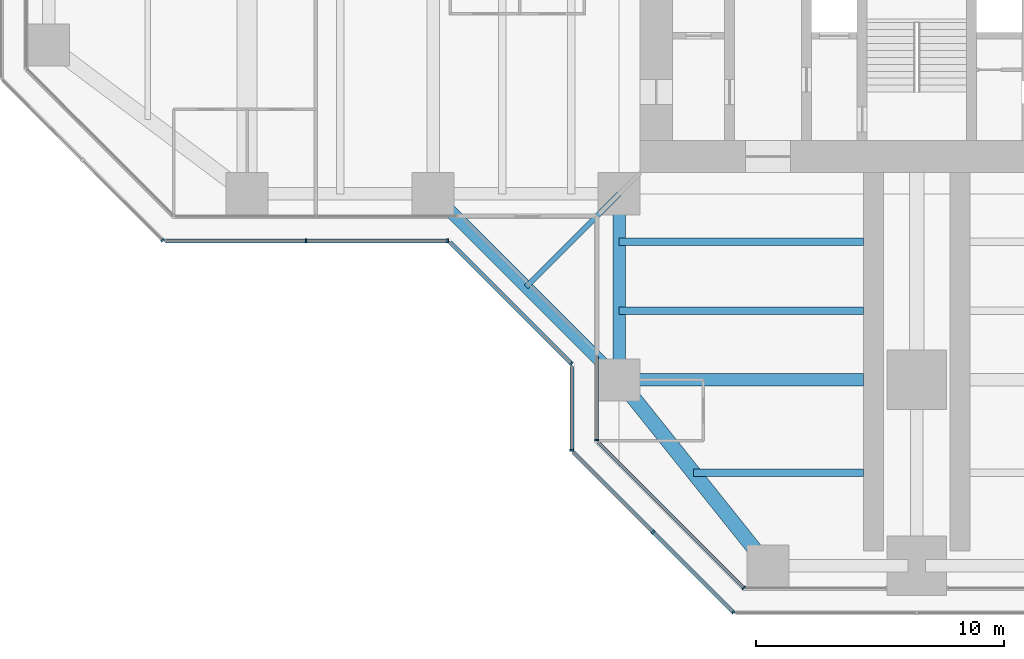
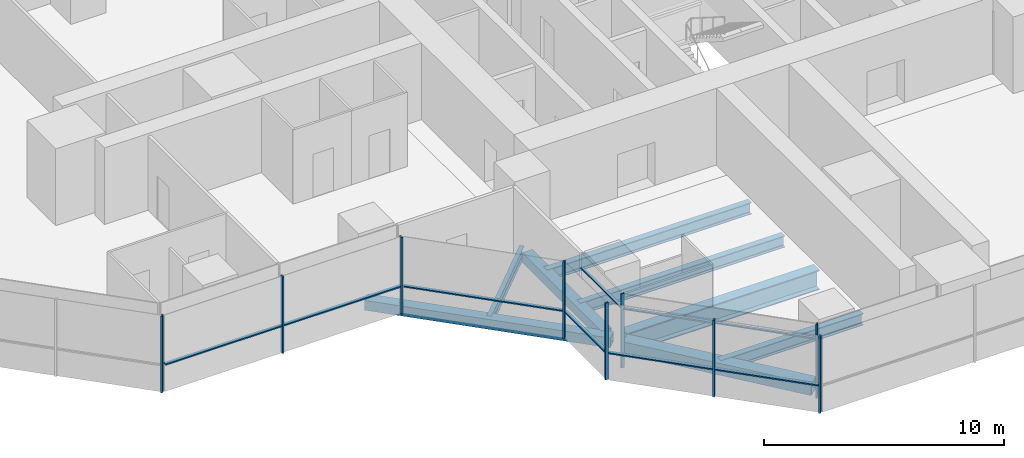
# One storey, part 2 of 20: 17 members, 8 beams, 7 elements without a shape of their own.
"""IFC4 building model written with IfcOpenShell, lengths in metres."""

from ifc_helpers import new_model, si_unit, direction, frame, origin, origin_2d, place, context, subcontext, project, spatial, rectangle, hollow_rectangle, i_section, extrude, material, material_profile, profile_set, type_object, element, aggregate, save


model = new_model("IFC4")

# Units and contexts
model_context = context("Model", 3, precision=1e-05, world=origin(), true_north=direction((0.0, 1.0)))
body_context = subcontext(model_context, "Body", "Model", "MODEL_VIEW")
ifc_project = project(units=[si_unit("LENGTHUNIT", "METRE"), si_unit("AREAUNIT", "SQUARE_METRE"), si_unit("VOLUMEUNIT", "CUBIC_METRE"), si_unit("PLANEANGLEUNIT", "RADIAN"), si_unit("MASSUNIT", "GRAM", prefix="KILO")], contexts=[model_context])

# Site, building, storey
site_placement = place(None, origin())
site = spatial("IfcSite", under=ifc_project, at=site_placement, CompositionType="ELEMENT")
building_placement = place(site_placement, origin())
building = spatial("IfcBuilding", under=site, at=building_placement, Name="Mizan Broadcast Tower", CompositionType="ELEMENT")
storey_placement = place(building_placement, frame((0.0, 0.0, 135.89990234375)))
storey = spatial("IfcBuildingStorey", under=building, at=storey_placement, Name="L30", CompositionType="ELEMENT", Elevation=135.89990234375)

# Beams
ifc_material_1 = material(Name="Steel S355", Category="steel")
ifc_material_profile_1 = material_profile(ifc_material_1, hollow_rectangle(XDim=0.5, YDim=0.5, WallThickness=0.030029296875, at=origin_2d()), Name="BOX 500x500x30")
ifc_profile_set_1 = profile_set([ifc_material_profile_1], Name="Steel S355")
beam_type_1 = type_object("IfcBeamType", Name="EDGE BEAM BOX 500x500x30", PredefinedType="SPANDREL", material=ifc_profile_set_1)
beam_1_placement = place(storey_placement, frame((-12.0, -12.449951171875, -0.3798828125), z_axis=(0.0, -1.0, 0.0), x_axis=(1.0, 0.0, 0.0)))
element("IfcBeam", 1, at=beam_1_placement, inside=storey, type_object=beam_type_1, Name="Edge beam BOX 500x500x30 L30 south arm", PredefinedType="SPANDREL", context=body_context, shape_type="SweptSolid", body=[
    extrude(hollow_rectangle(XDim=0.5, YDim=0.5, WallThickness=0.030029296875, at=origin_2d()), origin(), (0.0, 0.0, 1.0), 6.60009765625),
])
beam_2_placement = place(storey_placement, frame((-19.5, -12.0, -0.3798828125), z_axis=(0.707106781187, -0.707106781187, 0.0), x_axis=(0.707106781187, 0.707106781187, 0.0)))
element("IfcBeam", 2, at=beam_2_placement, inside=storey, type_object=beam_type_1, Name="Winter garden edge beam L30 W", PredefinedType="SPANDREL", context=body_context, shape_type="SweptSolid", body=[
    extrude(hollow_rectangle(XDim=0.5, YDim=0.5, WallThickness=0.030029296875, at=origin_2d()), origin(), (0.0, 0.0, 1.0), 10.606689453125),
])
ifc_material_2 = material(Name="Steel S355", Category="steel")
ifc_material_profile_2 = material_profile(ifc_material_2, hollow_rectangle(XDim=0.60009765625, YDim=0.60009765625, WallThickness=0.030029296875, at=origin_2d()), Name="BOX 600x600x30")
ifc_profile_set_2 = profile_set([ifc_material_profile_2], Name="Steel S355")
beam_type_2 = type_object("IfcBeamType", Name="EDGE BEAM BOX 600x600x30", PredefinedType="SPANDREL", material=ifc_profile_set_2)
beam_3_placement = place(storey_placement, frame((-11.639892578125, -19.949951171875, -0.429931640625), z_axis=(0.624673911726, -0.780885717636, 0.0), x_axis=(0.780885717636, 0.624673911726, 0.0)))
element("IfcBeam", 3, at=beam_3_placement, inside=storey, type_object=beam_type_2, Name="Edge beam BOX 600x600x30 L30 south arm", PredefinedType="SPANDREL", context=body_context, shape_type="SweptSolid", body=[
    extrude(hollow_rectangle(XDim=0.60009765625, YDim=0.60009765625, WallThickness=0.030029296875, at=origin_2d()), origin(), (0.0, 0.0, 1.0), 8.4521484375),
])
ifc_material_3 = material(Name="Steel S460", Category="steel")
ifc_material_profile_3 = material_profile(ifc_material_3, i_section(OverallWidth=0.5, OverallDepth=1.0, WebThickness=0.02490234375, FlangeThickness=0.050048828125, at=origin_2d()), Name="WPG 1000x500")
ifc_profile_set_3 = profile_set([ifc_material_profile_3], Name="Steel S460")
beam_type_3 = type_object("IfcBeamType", Name="GIRDER WPG 1000x500", PredefinedType="BEAM", material=ifc_profile_set_3)
beam_4_placement = place(storey_placement, frame((-11.408935546875, -19.5, -0.6298828125), z_axis=(1.0, 0.0, 0.0), x_axis=(0.0, 1.0, 0.0)))
element("IfcBeam", 4, at=beam_4_placement, inside=storey, type_object=beam_type_3, Name="Girder WPG 1000x500 L30 south arm", PredefinedType="BEAM", context=body_context, shape_type="SweptSolid", body=[
    extrude(i_section(OverallWidth=0.5, OverallDepth=1.0, WebThickness=0.02490234375, FlangeThickness=0.050048828125, at=origin_2d()), origin(), (0.0, 0.0, 1.0), 9.259033203125),
])

# Curtain wall, member
ifc_material_4 = material(Name="Aluminium framed glazing", Category="aluminium")
curtain_wall_type_1 = type_object("IfcCurtainWallType", Name="INNER SKIN MID ZONE", PredefinedType="USERDEFINED", material=ifc_material_4)
curtain_wall_1_placement = place(storey_placement, origin())
curtain_wall_1 = element("IfcCurtainWall", 5, at=curtain_wall_1_placement, inside=storey, type_object=curtain_wall_type_1, Name="Inner skin mid zone L30 S side", ObjectType="INNER SKIN MID ZONE", PredefinedType="USERDEFINED")
ifc_material_5 = material(Name="Aluminium, pale anodised", Category="aluminium")
ifc_material_profile_4 = material_profile(ifc_material_5, rectangle(XDim=0.159912109375, YDim=0.06005859375, at=origin_2d()), Name="MULLION 160x60")
ifc_profile_set_4 = profile_set([ifc_material_profile_4], Name="Aluminium, pale anodised")
member_type_1 = type_object("IfcMemberType", Name="INNER SKIN MULLION 60x160", PredefinedType="MULLION", material=ifc_profile_set_4)
member_1_placement = place(storey_placement, frame((-12.89990234375, -21.928466796875, 0.0), z_axis=(0.0, 0.0, 1.0), x_axis=(1.0, 0.0, 0.0)))
member_1 = element("IfcMember", 6, at=member_1_placement, type_object=member_type_1, Name="Inner skin mid zone L30 S side mullion 2", PredefinedType="MULLION", context=body_context, shape_type="SweptSolid", body=[
    extrude(rectangle(XDim=0.159912109375, YDim=0.06005859375, at=origin_2d()), origin(), (0.0, 0.0, 1.0), 3.77001953125),
])

curtain_wall_2_placement = place(storey_placement, origin())
curtain_wall_2 = element("IfcCurtainWall", 7, at=curtain_wall_2_placement, inside=storey, type_object=curtain_wall_type_1, Name="Inner skin mid zone L30 S chamfer", ObjectType="INNER SKIN MID ZONE", PredefinedType="USERDEFINED")
member_2_placement = place(storey_placement, frame((-6.979736328125, -27.87890625, 0.0), z_axis=(0.0, 0.0, 1.0), x_axis=(0.707106781187, 0.707106781187, 0.0)))
member_2 = element("IfcMember", 8, at=member_2_placement, type_object=member_type_1, Name="Inner skin mid zone L30 S chamfer mullion 2", PredefinedType="MULLION", context=body_context, shape_type="SweptSolid", body=[
    extrude(rectangle(XDim=0.159912109375, YDim=0.06005859375, at=origin_2d()), origin(), (0.0, 0.0, 1.0), 3.77001953125),
])

# Member
ifc_material_6 = material(Name="Aluminium, pale anodised", Category="aluminium")
ifc_material_profile_5 = material_profile(ifc_material_6, rectangle(XDim=0.1201171875, YDim=0.06005859375, at=origin_2d()), Name="TRANSOM 120x60")
ifc_profile_set_5 = profile_set([ifc_material_profile_5], Name="Aluminium, pale anodised")
member_type_2 = type_object("IfcMemberType", Name="INNER SKIN TRANSOM 60x120", PredefinedType="USERDEFINED", material=ifc_profile_set_5)
member_3_placement = place(storey_placement, frame((-12.89990234375, -18.56005859375, 3.030029296875), z_axis=(0.0, -1.0, 0.0), x_axis=(1.0, 0.0, 0.0)))
member_3 = element("IfcMember", 9, at=member_3_placement, type_object=member_type_2, Name="Inner skin mid zone L30 S side transom 1.1", ObjectType="TRANSOM", PredefinedType="USERDEFINED", context=body_context, shape_type="SweptSolid", body=[
    extrude(rectangle(XDim=0.1201171875, YDim=0.06005859375, at=origin_2d()), origin(), (0.0, 0.0, 1.0), 3.338623046875),
])

aggregate(curtain_wall_1, [member_1, member_3])

member_4_placement = place(storey_placement, frame((-12.857666015625, -22.0009765625, 3.030029296875), z_axis=(0.707106781187, -0.707106781187, 0.0), x_axis=(0.707106781187, 0.707106781187, 0.0)))
member_4 = element("IfcMember", 10, at=member_4_placement, type_object=member_type_2, Name="Inner skin mid zone L30 S chamfer transom 1.1", ObjectType="TRANSOM", PredefinedType="USERDEFINED", context=body_context, shape_type="SweptSolid", body=[
    extrude(rectangle(XDim=0.1201171875, YDim=0.06005859375, at=origin_2d()), origin(), (0.0, 0.0, 1.0), 8.28271484375),
])

aggregate(curtain_wall_2, [member_2, member_4])

# Curtain wall, member
ifc_material_7 = material(Name="Aluminium framed glazing", Category="aluminium")
curtain_wall_type_2 = type_object("IfcCurtainWallType", Name="OUTER SKIN", PredefinedType="USERDEFINED", material=ifc_material_7)
curtain_wall_3_placement = place(storey_placement, origin())
curtain_wall_3 = element("IfcCurtainWall", 11, at=curtain_wall_3_placement, inside=storey, type_object=curtain_wall_type_2, Name="Outer skin L30 W chamfer", ObjectType="OUTER SKIN", PredefinedType="USERDEFINED")
ifc_material_8 = material(Name="Aluminium, pale anodised", Category="aluminium")
ifc_material_profile_6 = material_profile(ifc_material_8, rectangle(XDim=0.159912109375, YDim=0.080078125, at=origin_2d()), Name="MULLION 160x80")
ifc_profile_set_6 = profile_set([ifc_material_profile_6], Name="Aluminium, pale anodised")
member_type_3 = type_object("IfcMemberType", Name="OUTER SKIN MULLION 80x160", PredefinedType="MULLION", material=ifc_profile_set_6)
member_5_placement = place(storey_placement, frame((-30.401123046875, -13.871826171875, 0.0), z_axis=(0.0, 0.0, 1.0), x_axis=(0.707106781187, 0.707106781187, 0.0)))
member_5 = element("IfcMember", 12, at=member_5_placement, type_object=member_type_3, Name="Outer skin L30 W chamfer mullion 3", PredefinedType="MULLION", context=body_context, shape_type="SweptSolid", body=[
    extrude(rectangle(XDim=0.159912109375, YDim=0.080078125, at=origin_2d()), origin(), (0.0, 0.0, 1.0), 3.900146484375),
])
aggregate(curtain_wall_3, [member_5])

# Curtain wall, members
curtain_wall_4_placement = place(storey_placement, origin())
curtain_wall_4 = element("IfcCurtainWall", 13, at=curtain_wall_4_placement, inside=storey, type_object=curtain_wall_type_2, Name="Outer skin L30 W side", ObjectType="OUTER SKIN", PredefinedType="USERDEFINED")
member_6_placement = place(storey_placement, frame((-24.622802734375, -13.89990234375, 0.0), z_axis=(0.0, 0.0, 1.0), x_axis=(0.0, 1.0, 0.0)))
member_6 = element("IfcMember", 14, at=member_6_placement, type_object=member_type_3, Name="Outer skin L30 W side mullion 2", PredefinedType="MULLION", context=body_context, shape_type="SweptSolid", body=[
    extrude(rectangle(XDim=0.159912109375, YDim=0.080078125, at=origin_2d()), origin(), (0.0, 0.0, 1.0), 3.900146484375),
])
member_7_placement = place(storey_placement, frame((-18.912841796875, -13.89990234375, 0.0), z_axis=(0.0, 0.0, 1.0), x_axis=(0.0, 1.0, 0.0)))
member_7 = element("IfcMember", 15, at=member_7_placement, type_object=member_type_3, Name="Outer skin L30 W side mullion 3", PredefinedType="MULLION", context=body_context, shape_type="SweptSolid", body=[
    extrude(rectangle(XDim=0.159912109375, YDim=0.080078125, at=origin_2d()), origin(), (0.0, 0.0, 1.0), 3.900146484375),
])

# Curtain wall, member
curtain_wall_5_placement = place(storey_placement, origin())
curtain_wall_5 = element("IfcCurtainWall", 16, at=curtain_wall_5_placement, inside=storey, type_object=curtain_wall_type_2, Name="Outer skin L30 W chamfer", ObjectType="OUTER SKIN", PredefinedType="USERDEFINED")
member_8_placement = place(storey_placement, frame((-13.92822265625, -18.844482421875, 0.0), z_axis=(0.0, 0.0, 1.0), x_axis=(0.707106781187, 0.707106781187, 0.0)))
member_8 = element("IfcMember", 17, at=member_8_placement, type_object=member_type_3, Name="Outer skin L30 W chamfer mullion 2", PredefinedType="MULLION", context=body_context, shape_type="SweptSolid", body=[
    extrude(rectangle(XDim=0.159912109375, YDim=0.080078125, at=origin_2d()), origin(), (0.0, 0.0, 1.0), 3.900146484375),
])

curtain_wall_6_placement = place(storey_placement, origin())
curtain_wall_6 = element("IfcCurtainWall", 18, at=curtain_wall_6_placement, inside=storey, type_object=curtain_wall_type_2, Name="Outer skin L30 S side", ObjectType="OUTER SKIN", PredefinedType="USERDEFINED")
member_9_placement = place(storey_placement, frame((-13.89990234375, -22.332763671875, 0.0), z_axis=(0.0, 0.0, 1.0), x_axis=(1.0, 0.0, 0.0)))
member_9 = element("IfcMember", 19, at=member_9_placement, type_object=member_type_3, Name="Outer skin L30 S side mullion 2", PredefinedType="MULLION", context=body_context, shape_type="SweptSolid", body=[
    extrude(rectangle(XDim=0.159912109375, YDim=0.080078125, at=origin_2d()), origin(), (0.0, 0.0, 1.0), 3.900146484375),
])

# Curtain wall, members
curtain_wall_7_placement = place(storey_placement, origin())
curtain_wall_7 = element("IfcCurtainWall", 20, at=curtain_wall_7_placement, inside=storey, type_object=curtain_wall_type_2, Name="Outer skin L30 S chamfer", ObjectType="OUTER SKIN", PredefinedType="USERDEFINED")
member_10_placement = place(storey_placement, frame((-10.636474609375, -25.636474609375, 0.0), z_axis=(0.0, 0.0, 1.0), x_axis=(0.707106781187, 0.707106781187, 0.0)))
member_10 = element("IfcMember", 21, at=member_10_placement, type_object=member_type_3, Name="Outer skin L30 S chamfer mullion 2", PredefinedType="MULLION", context=body_context, shape_type="SweptSolid", body=[
    extrude(rectangle(XDim=0.159912109375, YDim=0.080078125, at=origin_2d()), origin(), (0.0, 0.0, 1.0), 3.900146484375),
])
member_11_placement = place(storey_placement, frame((-7.401123046875, -28.871826171875, 0.0), z_axis=(0.0, 0.0, 1.0), x_axis=(0.707106781187, 0.707106781187, 0.0)))
member_11 = element("IfcMember", 22, at=member_11_placement, type_object=member_type_3, Name="Outer skin L30 S chamfer mullion 3", PredefinedType="MULLION", context=body_context, shape_type="SweptSolid", body=[
    extrude(rectangle(XDim=0.159912109375, YDim=0.080078125, at=origin_2d()), origin(), (0.0, 0.0, 1.0), 3.900146484375),
])

# Member
ifc_material_9 = material(Name="Aluminium, pale anodised", Category="aluminium")
ifc_material_profile_7 = material_profile(ifc_material_9, rectangle(XDim=0.159912109375, YDim=0.06005859375, at=origin_2d()), Name="TRANSOM 160x60")
ifc_profile_set_7 = profile_set([ifc_material_profile_7], Name="Aluminium, pale anodised")
member_type_4 = type_object("IfcMemberType", Name="OUTER SKIN TRANSOM 60x160", PredefinedType="USERDEFINED", material=ifc_profile_set_7)
member_12_placement = place(storey_placement, frame((-30.292724609375, -13.89990234375, 1.400146484375), z_axis=(1.0, 0.0, 0.0), x_axis=(0.0, 1.0, 0.0)))
member_12 = element("IfcMember", 23, at=member_12_placement, type_object=member_type_4, Name="Outer skin L30 W side transom 1.1", ObjectType="TRANSOM", PredefinedType="USERDEFINED", context=body_context, shape_type="SweptSolid", body=[
    extrude(rectangle(XDim=0.159912109375, YDim=0.06005859375, at=origin_2d()), origin(), (0.0, 0.0, 1.0), 5.6298828125),
])

member_13_placement = place(storey_placement, frame((-24.582763671875, -13.89990234375, 1.400146484375), z_axis=(1.0, 0.0, 0.0), x_axis=(0.0, 1.0, 0.0)))
member_13 = element("IfcMember", 24, at=member_13_placement, type_object=member_type_4, Name="Outer skin L30 W side transom 2.1", ObjectType="TRANSOM", PredefinedType="USERDEFINED", context=body_context, shape_type="SweptSolid", body=[
    extrude(rectangle(XDim=0.159912109375, YDim=0.06005859375, at=origin_2d()), origin(), (0.0, 0.0, 1.0), 5.6298828125),
])

aggregate(curtain_wall_4, [member_6, member_7, member_12, member_13])

member_14_placement = place(storey_placement, frame((-18.816162109375, -13.95654296875, 1.400146484375), z_axis=(0.707106781187, -0.707106781187, 0.0), x_axis=(0.707106781187, 0.707106781187, 0.0)))
member_14 = element("IfcMember", 25, at=member_14_placement, type_object=member_type_4, Name="Outer skin L30 W chamfer transom 1.1", ObjectType="TRANSOM", PredefinedType="USERDEFINED", context=body_context, shape_type="SweptSolid", body=[
    extrude(rectangle(XDim=0.159912109375, YDim=0.06005859375, at=origin_2d()), origin(), (0.0, 0.0, 1.0), 6.87255859375),
])

aggregate(curtain_wall_5, [member_8, member_14])

member_15_placement = place(storey_placement, frame((-13.89990234375, -18.952880859375, 1.400146484375), z_axis=(0.0, -1.0, 0.0), x_axis=(1.0, 0.0, 0.0)))
member_15 = element("IfcMember", 26, at=member_15_placement, type_object=member_type_4, Name="Outer skin L30 S side transom 1.1", ObjectType="TRANSOM", PredefinedType="USERDEFINED", context=body_context, shape_type="SweptSolid", body=[
    extrude(rectangle(XDim=0.159912109375, YDim=0.06005859375, at=origin_2d()), origin(), (0.0, 0.0, 1.0), 3.33984375),
])

aggregate(curtain_wall_6, [member_9, member_15])

member_16_placement = place(storey_placement, frame((-13.843505859375, -22.429443359375, 1.400146484375), z_axis=(0.707106781187, -0.707106781187, 0.0), x_axis=(0.707106781187, 0.707106781187, 0.0)))
member_16 = element("IfcMember", 27, at=member_16_placement, type_object=member_type_4, Name="Outer skin L30 S chamfer transom 1.1", ObjectType="TRANSOM", PredefinedType="USERDEFINED", context=body_context, shape_type="SweptSolid", body=[
    extrude(rectangle(XDim=0.159912109375, YDim=0.06005859375, at=origin_2d()), origin(), (0.0, 0.0, 1.0), 4.495361328125),
])

member_17_placement = place(storey_placement, frame((-10.608154296875, -25.664794921875, 1.400146484375), z_axis=(0.707106781187, -0.707106781187, 0.0), x_axis=(0.707106781187, 0.707106781187, 0.0)))
member_17 = element("IfcMember", 28, at=member_17_placement, type_object=member_type_4, Name="Outer skin L30 S chamfer transom 2.1", ObjectType="TRANSOM", PredefinedType="USERDEFINED", context=body_context, shape_type="SweptSolid", body=[
    extrude(rectangle(XDim=0.159912109375, YDim=0.06005859375, at=origin_2d()), origin(), (0.0, 0.0, 1.0), 4.495361328125),
])

aggregate(curtain_wall_7, [member_10, member_11, member_16, member_17])

# Beams
ifc_material_10 = material(Name="Steel S355", Category="steel")
ifc_material_profile_8 = material_profile(ifc_material_10, i_section(OverallWidth=0.300048828125, OverallDepth=0.590087890625, WebThickness=0.012939453125, FlangeThickness=0.02490234375, FilletRadius=0.027099609375, at=origin_2d()), Name="HEA 600")
ifc_profile_set_8 = profile_set([ifc_material_profile_8], Name="Steel S355")
beam_type_4 = type_object("IfcBeamType", Name="SECONDARY BEAM HEA 600", PredefinedType="JOIST", material=ifc_profile_set_8)
for number, where, z_axis, x_axis, name in (
    (29, (-12.0, -13.933349609375, -0.4248046875), (1.0, 0.0, 0.0), (0.0, 1.0, 0.0), "Secondary beam HEA 600 L30 south arm"),
    (30, (-12.0, -16.716552734375, -0.4248046875), (1.0, 0.0, 0.0), (0.0, 1.0, 0.0), "Secondary beam HEA 600 L30 south arm"),
):
    element("IfcBeam", number, at=place(storey_placement, frame(where, z_axis=z_axis, x_axis=x_axis)), inside=storey, type_object=beam_type_4, Name=name, PredefinedType="JOIST", context=body_context, shape_type="SweptSolid", body=[
        extrude(i_section(OverallWidth=0.300048828125, OverallDepth=0.590087890625, WebThickness=0.012939453125, FlangeThickness=0.02490234375, FilletRadius=0.027099609375, at=origin_2d()), origin(), (0.0, 0.0, 1.0), 9.85009765625),
    ])
beam_5_placement = place(storey_placement, frame((-9.0, -23.25, -0.4248046875), z_axis=(1.0, 0.0, 0.0), x_axis=(0.0, 1.0, 0.0)))
element("IfcBeam", 31, at=beam_5_placement, inside=storey, type_object=beam_type_4, Name="Secondary beam HEA 600 L30 south arm", PredefinedType="JOIST", context=body_context, shape_type="SweptSolid", body=[
    extrude(i_section(OverallWidth=0.300048828125, OverallDepth=0.590087890625, WebThickness=0.012939453125, FlangeThickness=0.02490234375, FilletRadius=0.027099609375, at=origin_2d()), origin(), (0.0, 0.0, 1.0), 6.85009765625),
])
ifc_material_11 = material(Name="Steel S355", Category="steel")
ifc_material_profile_9 = material_profile(ifc_material_11, i_section(OverallWidth=0.2099609375, OverallDepth=0.550048828125, WebThickness=0.010986328125, FlangeThickness=0.01708984375, FilletRadius=0.02392578125, at=origin_2d()), Name="IPE 550")
ifc_profile_set_9 = profile_set([ifc_material_profile_9], Name="Steel S355")
beam_type_5 = type_object("IfcBeamType", Name="SECONDARY BEAM IPE 550", PredefinedType="JOIST", material=ifc_profile_set_9)
beam_6_placement = place(storey_placement, frame((-12.0, -12.0, -0.40478515625), z_axis=(-0.707106781187, -0.707106781187, 0.0), x_axis=(0.707106781187, -0.707106781187, 0.0)))
element("IfcBeam", 32, at=beam_6_placement, inside=storey, type_object=beam_type_5, Name="Winter garden beam L30 W", PredefinedType="JOIST", context=body_context, shape_type="SweptSolid", body=[
    extrude(i_section(OverallWidth=0.2099609375, OverallDepth=0.550048828125, WebThickness=0.010986328125, FlangeThickness=0.01708984375, FilletRadius=0.02392578125, at=origin_2d()), origin(), (0.0, 0.0, 1.0), 5.30322265625),
])

save(model, "model.ifc")
